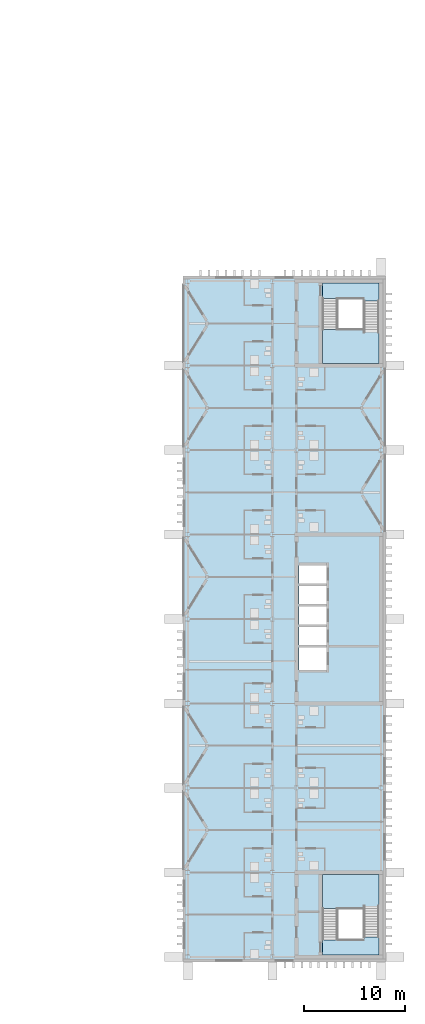
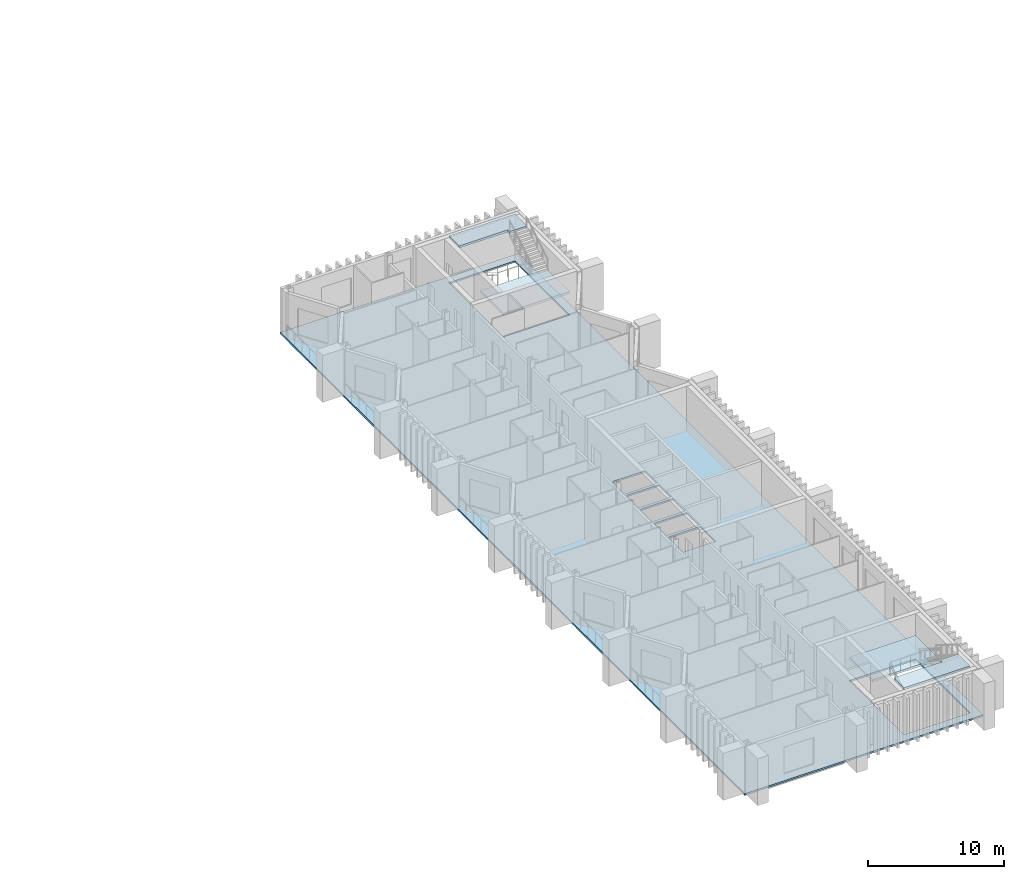
# One storey, part 9 of 18: 5 slabs, 2 elements without a shape of their own.
"""IFC4 building model written with IfcOpenShell, lengths in metres."""

from ifc_helpers import new_model, si_unit, direction, frame, origin, place, context, subcontext, project, spatial, polyline, outline, extrude, material, layer, layer_set, type_object, element, aggregate, save


model = new_model("IFC4")

# Units and contexts
model_context = context("Model", 3, precision=1e-05, world=origin(), true_north=direction((0.0, 1.0)))
body_context = subcontext(model_context, "Body", "Model", "MODEL_VIEW")
ifc_project = project(units=[si_unit("LENGTHUNIT", "METRE"), si_unit("AREAUNIT", "SQUARE_METRE"), si_unit("VOLUMEUNIT", "CUBIC_METRE"), si_unit("PLANEANGLEUNIT", "RADIAN"), si_unit("MASSUNIT", "GRAM", prefix="KILO")], contexts=[model_context])

# Site, building, storey
site_placement = place(None, origin())
site = spatial("IfcSite", under=ifc_project, at=site_placement, CompositionType="ELEMENT")
building_placement = place(site_placement, origin())
building = spatial("IfcBuilding", under=site, at=building_placement, Name="Cresset Court Congress Hotel", CompositionType="ELEMENT")
storey_placement = place(building_placement, frame((0.0, 0.0, 35.39990234375)))
storey = spatial("IfcBuildingStorey", under=building, at=storey_placement, Name="L08", CompositionType="ELEMENT", Elevation=35.39990234375)

# Slab
ifc_material_1 = material(Name="Concrete C35", Category="concrete")
ifc_layer_1 = layer(ifc_material_1, 0.14990234375)
ifc_layer_set_1 = layer_set([ifc_layer_1], Name="Composite floor slab 150")
slab_type_1 = type_object("IfcSlabType", Name="Composite floor slab 150", PredefinedType="FLOOR", material=ifc_layer_set_1)
slab_1_placement = place(storey_placement, frame((0.0, 0.0, -0.14990234375)))
element("IfcSlab", 1, at=slab_1_placement, inside=storey, type_object=slab_type_1, Name="A.slab.L08", PredefinedType="FLOOR", context=body_context, shape_type="SweptSolid", body=[
    extrude(outline(polyline([(156.699951171875, -0.5), (176.89990234375, -0.5), (176.89990234375, 67.699951171875), (156.699951171875, 67.699951171875), (156.699951171875, -0.5)]), holes=[polyline([(170.60009765625, 0.199951171875), (176.199951171875, 0.199951171875), (176.199951171875, 8.199951171875), (170.60009765625, 8.199951171875), (170.60009765625, 0.199951171875)]), polyline([(170.60009765625, 59.0), (176.199951171875, 59.0), (176.199951171875, 67.0), (170.60009765625, 67.0), (170.60009765625, 59.0)]), polyline([(168.25, 28.550048828125), (171.0, 28.550048828125), (171.0, 30.75), (168.25, 30.75), (168.25, 28.550048828125)]), polyline([(168.25, 31.0), (171.0, 31.0), (171.0, 32.800048828125), (168.25, 32.800048828125), (168.25, 31.0)]), polyline([(168.25, 33.050048828125), (171.0, 33.050048828125), (171.0, 34.85009765625), (168.25, 34.85009765625), (168.25, 33.050048828125)]), polyline([(168.25, 35.10009765625), (171.0, 35.10009765625), (171.0, 36.89990234375), (168.25, 36.89990234375), (168.25, 35.10009765625)]), polyline([(168.25, 37.14990234375), (171.0, 37.14990234375), (171.0, 38.949951171875), (168.25, 38.949951171875), (168.25, 37.14990234375)])]), origin(), (0.0, 0.0, 1.0), 0.14990234375),
])

# Stair, slabs
ifc_material_2 = material(Name="Concrete C40", Category="concrete")
stair_type = type_object("IfcStairType", Name="Concrete dog-leg stair 5600", PredefinedType="HALF_TURN_STAIR", material=ifc_material_2)
stair_1_placement = place(storey_placement, origin())
stair_1 = element("IfcStair", 2, at=stair_1_placement, inside=storey, type_object=stair_type, Name="Stair A1 L08", PredefinedType="HALF_TURN_STAIR")
ifc_material_3 = material(Name="Concrete C40", Category="concrete")
ifc_layer_2 = layer(ifc_material_3, 0.199951171875)
ifc_layer_set_2 = layer_set([ifc_layer_2], Name="Stair landing 200")
slab_type_2 = type_object("IfcSlabType", Name="Stair landing 200", PredefinedType="LANDING", material=ifc_layer_set_2)
slab_2_placement = place(storey_placement, frame((0.0, 0.0, 1.900146484375)))
slab_2 = element("IfcSlab", 3, at=slab_2_placement, type_object=slab_type_2, Name="A-ST1 landing 1", PredefinedType="LANDING", context=body_context, shape_type="SweptSolid", body=[
    extrude(outline(polyline([(170.60009765625, 4.819091796875), (176.199951171875, 4.819091796875), (176.199951171875, 8.199951171875), (170.60009765625, 8.199951171875), (170.60009765625, 4.819091796875)])), origin(), (0.0, 0.0, 1.0), 0.199951171875),
])
slab_3_placement = place(storey_placement, frame((0.0, 0.0, 4.0)))
slab_3 = element("IfcSlab", 4, at=slab_3_placement, type_object=slab_type_2, Name="A-ST1 landing 2", PredefinedType="LANDING", context=body_context, shape_type="SweptSolid", body=[
    extrude(outline(polyline([(170.60009765625, 0.199951171875), (176.199951171875, 0.199951171875), (176.199951171875, 1.960693359375), (174.699951171875, 1.960693359375), (174.699951171875, 1.70068359375), (170.60009765625, 1.70068359375), (170.60009765625, 0.199951171875)])), origin(), (0.0, 0.0, 1.0), 0.2001953125),
])
aggregate(stair_1, [slab_2, slab_3])

stair_2_placement = place(storey_placement, origin())
stair_2 = element("IfcStair", 5, at=stair_2_placement, inside=storey, type_object=stair_type, Name="Stair A2 L08", PredefinedType="HALF_TURN_STAIR")
slab_4_placement = place(storey_placement, frame((0.0, 0.0, 1.900146484375)))
slab_4 = element("IfcSlab", 6, at=slab_4_placement, type_object=slab_type_2, Name="A-ST1 landing 1", PredefinedType="LANDING", context=body_context, shape_type="SweptSolid", body=[
    extrude(outline(polyline([(170.60009765625, 62.380859375), (176.199951171875, 62.380859375), (176.199951171875, 59.0), (170.60009765625, 59.0), (170.60009765625, 62.380859375)])), origin(), (0.0, 0.0, 1.0), 0.199951171875),
])
slab_5_placement = place(storey_placement, frame((0.0, 0.0, 4.0)))
slab_5 = element("IfcSlab", 7, at=slab_5_placement, type_object=slab_type_2, Name="A-ST1 landing 2", PredefinedType="LANDING", context=body_context, shape_type="SweptSolid", body=[
    extrude(outline(polyline([(170.60009765625, 67.0), (176.199951171875, 67.0), (176.199951171875, 65.2392578125), (174.699951171875, 65.2392578125), (174.699951171875, 65.499267578125), (170.60009765625, 65.499267578125), (170.60009765625, 67.0)])), origin(), (0.0, 0.0, 1.0), 0.2001953125),
])
aggregate(stair_2, [slab_4, slab_5])

save(model, "model.ifc")
